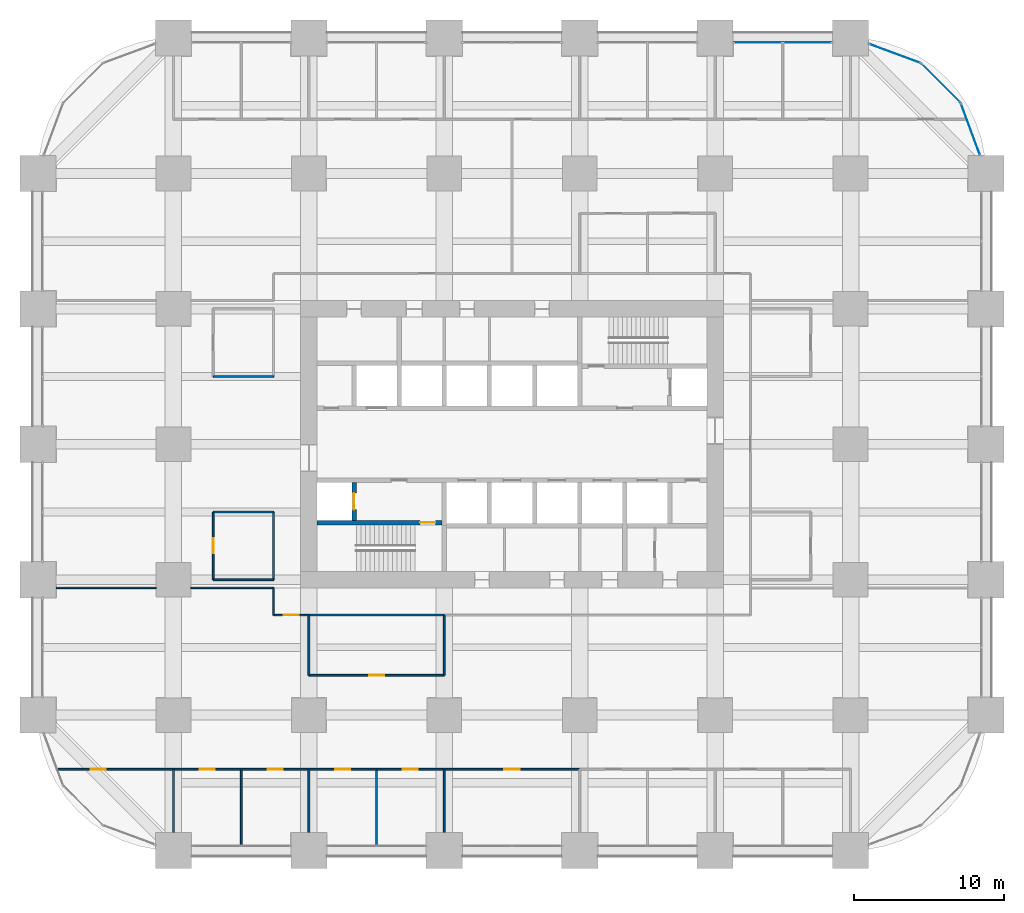
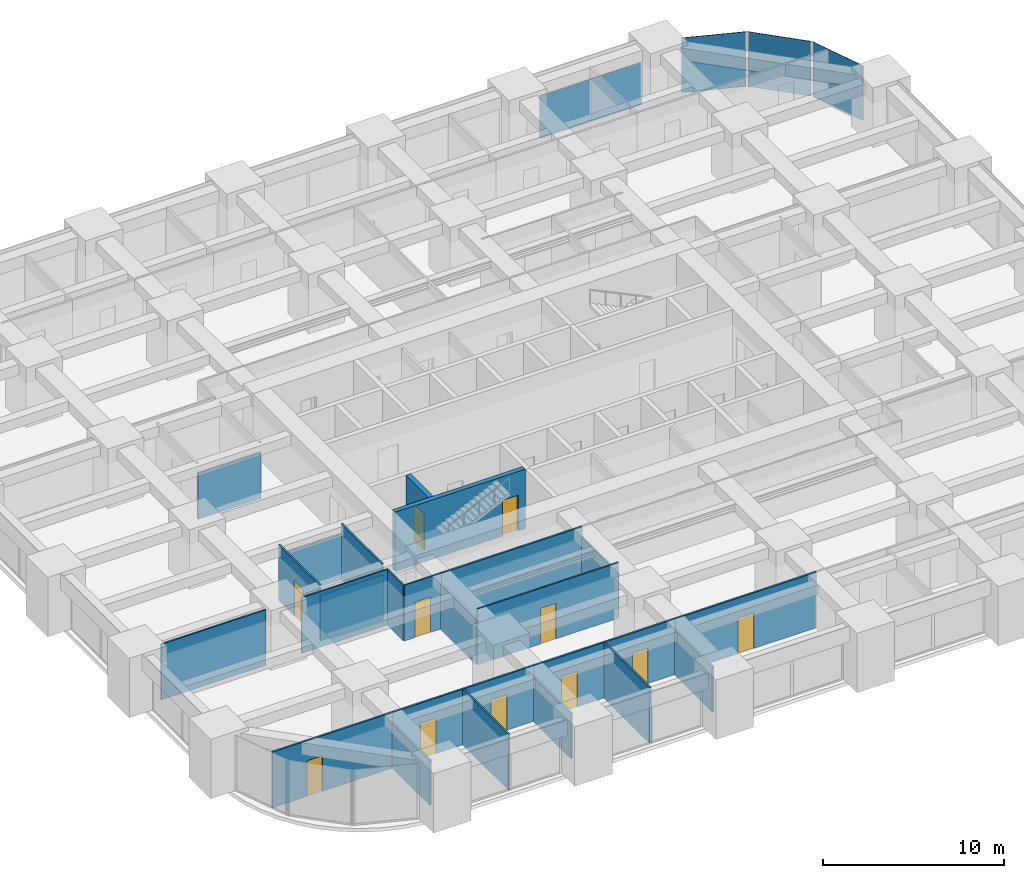
# One storey, part 39 of 45: 26 walls, 11 doors, 5 plates, 11 openings, 4 elements without a shape of their own.
"""IFC4 building model written with IfcOpenShell, lengths in metres."""

from ifc_helpers import new_model, si_unit, direction, frame, frame_2d, origin, origin_2d, place, context, subcontext, project, spatial, rectangle, extrude, material, layer, layer_set, type_object, element, fill, aggregate, save


model = new_model("IFC4")

# Units and contexts
model_context = context("Model", 3, precision=1e-05, world=origin(), true_north=direction((0.0, 1.0)))
body_context = subcontext(model_context, "Body", "Model", "MODEL_VIEW")
ifc_project = project(units=[si_unit("LENGTHUNIT", "METRE"), si_unit("AREAUNIT", "SQUARE_METRE"), si_unit("VOLUMEUNIT", "CUBIC_METRE"), si_unit("PLANEANGLEUNIT", "RADIAN"), si_unit("MASSUNIT", "GRAM", prefix="KILO")], contexts=[model_context])

# Site, building, storey
site_placement = place(None, origin())
site = spatial("IfcSite", under=ifc_project, at=site_placement, CompositionType="ELEMENT")
building_placement = place(site_placement, origin())
building = spatial("IfcBuilding", under=site, at=building_placement, Name="Zorevar Civic Tower", CompositionType="ELEMENT")
storey_placement = place(building_placement, frame((0.0, 0.0, 47.800048828125)))
storey = spatial("IfcBuildingStorey", under=building, at=storey_placement, Name="L11", CompositionType="ELEMENT", Elevation=47.800048828125)

# Curtain wall, plates
ifc_material_1 = material(Name="Dark grey solar-control glass in black aluminium frame", Category="aluminium")
curtain_wall_type = type_object("IfcCurtainWallType", Name="Curtain wall CW2 low zone", PredefinedType="NOTDEFINED", material=ifc_material_1)
curtain_wall_1_placement = place(storey_placement, origin())
curtain_wall_1 = element("IfcCurtainWall", 1, at=curtain_wall_1_placement, inside=storey, type_object=curtain_wall_type, Name="CW2 L11", PredefinedType="NOTDEFINED")
ifc_material_2 = material(Name="Dark grey solar-control glass", Category="glass")
ifc_layer_1 = layer(ifc_material_2, 0.031982421875)
ifc_layer_set_1 = layer_set([ifc_layer_1], Name="CW2 panel 32")
plate_type = type_object("IfcPlateType", Name="CW2 panel 32", PredefinedType="CURTAIN_PANEL", material=ifc_layer_set_1)
plate_1_placement = place(storey_placement, frame((47.864990234375, 53.699951171875, 0.06005859375), z_axis=(0.0, 0.0, 1.0), x_axis=(1.0, 0.0, 0.0)))
plate_1 = element("IfcPlate", 2, at=plate_1_placement, type_object=plate_type, Name="CW2 panel 1.1", PredefinedType="CURTAIN_PANEL", context=body_context, shape_type="SweptSolid", body=[
    extrude(rectangle(XDim=3.2099609375, YDim=0.031982421875, at=origin_2d()), origin(), (0.0, 0.0, 1.0), 2.889892578125),
])
plate_2_placement = place(storey_placement, frame((51.135009765625, 53.699951171875, 0.06005859375), z_axis=(0.0, 0.0, 1.0), x_axis=(1.0, 0.0, 0.0)))
plate_2 = element("IfcPlate", 3, at=plate_2_placement, type_object=plate_type, Name="CW2 panel 2.1", PredefinedType="CURTAIN_PANEL", context=body_context, shape_type="SweptSolid", body=[
    extrude(rectangle(XDim=3.2099609375, YDim=0.031982421875, at=origin_2d()), origin(), (0.0, 0.0, 1.0), 2.889892578125),
])
aggregate(curtain_wall_1, [plate_1, plate_2])

# Curtain wall, plate
curtain_wall_2_placement = place(storey_placement, origin())
curtain_wall_2 = element("IfcCurtainWall", 4, at=curtain_wall_2_placement, inside=storey, type_object=curtain_wall_type, Name="CW2 L11", PredefinedType="NOTDEFINED")
plate_3_placement = place(storey_placement, frame((61.97119140625, 47.9462890625, 0.06005859375), z_axis=(0.0, 0.0, 1.0), x_axis=(-0.346704012033, 0.937974588163, 0.0)))
plate_3 = element("IfcPlate", 5, at=plate_3_placement, type_object=plate_type, Name="CW2 panel 1.1", PredefinedType="CURTAIN_PANEL", context=body_context, shape_type="SweptSolid", body=[
    extrude(rectangle(XDim=3.603759765625, YDim=0.031982421875, at=origin_2d()), origin(), (0.0, 0.0, 1.0), 3.68994140625),
])
aggregate(curtain_wall_2, [plate_3])

curtain_wall_3_placement = place(storey_placement, origin())
curtain_wall_3 = element("IfcCurtainWall", 6, at=curtain_wall_3_placement, inside=storey, type_object=curtain_wall_type, Name="CW2 L11", PredefinedType="NOTDEFINED")
plate_4_placement = place(storey_placement, frame((60.00927734375, 51.00927734375, 0.06005859375), z_axis=(0.0, 0.0, 1.0), x_axis=(-0.707106781187, 0.707106781187, 0.0)))
plate_4 = element("IfcPlate", 7, at=plate_4_placement, type_object=plate_type, Name="CW2 panel 1.1", PredefinedType="CURTAIN_PANEL", context=body_context, shape_type="SweptSolid", body=[
    extrude(rectangle(XDim=3.603759765625, YDim=0.031982421875, at=origin_2d()), origin(), (0.0, 0.0, 1.0), 3.68994140625),
])
aggregate(curtain_wall_3, [plate_4])

curtain_wall_4_placement = place(storey_placement, origin())
curtain_wall_4 = element("IfcCurtainWall", 8, at=curtain_wall_4_placement, inside=storey, type_object=curtain_wall_type, Name="CW2 L11", PredefinedType="NOTDEFINED")
plate_5_placement = place(storey_placement, frame((56.9462890625, 52.97119140625, 0.06005859375), z_axis=(0.0, 0.0, 1.0), x_axis=(-0.937974588163, 0.346704012033, 0.0)))
plate_5 = element("IfcPlate", 9, at=plate_5_placement, type_object=plate_type, Name="CW2 panel 1.1", PredefinedType="CURTAIN_PANEL", context=body_context, shape_type="SweptSolid", body=[
    extrude(rectangle(XDim=3.603759765625, YDim=0.031982421875, at=origin_2d()), origin(), (0.0, 0.0, 1.0), 3.68994140625),
])
aggregate(curtain_wall_4, [plate_5])

# Wall, opening, door
ifc_material_3 = material(Name="Laminated glass in black aluminium frame", Category="aluminium")
ifc_layer_2 = layer(ifc_material_3, 0.10009765625)
ifc_layer_set_2 = layer_set([ifc_layer_2], Name="Glazed partition 100")
wall_type_1 = type_object("IfcWallType", Name="Glazed partition 100", PredefinedType="PARTITIONING", material=ifc_layer_set_2)
wall_1_placement = place(storey_placement, frame((18.0, 11.64990234375, 0.0), z_axis=(0.0, 0.0, 1.0), x_axis=(1.0, 0.0, 0.0)))
wall_1 = element("IfcWall", 10, at=wall_1_placement, inside=storey, type_object=wall_type_1, Name="Glazed partition 100 L11", PredefinedType="PARTITIONING", context=body_context, shape_type="SweptSolid", body=[
    extrude(rectangle(XDim=9.0, YDim=0.10009765625, at=frame_2d((4.5, 0.0))), origin(), (0.0, 0.0, 1.0), 3.75),
])
opening_1_placement = place(wall_1_placement, frame((4.0, 0.0, 0.0)))
opening_1 = element("IfcOpeningElement", 11, at=opening_1_placement, cuts=wall_1, Name="Opening L11.27", PredefinedType="OPENING", context=body_context, shape_type="SweptSolid", body=[
    extrude(rectangle(XDim=1.0, YDim=2.39990234375, at=frame_2d((0.5, 1.199951171875))), frame((0.0, 0.06005859375, 0.0), z_axis=(0.0, -1.0, 0.0), x_axis=(1.0, 0.0, 0.0)), (0.0, 0.0, 1.0), 0.1201171875),
])
ifc_material_4 = material(Name="Timber door set", Category="wood")
door_type_1 = type_object("IfcDoorType", Name="Glazed door GD1 1000x2400", OperationType="SINGLE_SWING_LEFT", PredefinedType="DOOR", material=ifc_material_4)
door_1_placement = place(opening_1_placement, origin())
door_1 = element("IfcDoor", 12, at=door_1_placement, inside=storey, type_object=door_type_1, Name="Door L11 D1", OperationType="SINGLE_SWING_LEFT", OverallHeight=2.39990234375, OverallWidth=1.0, PredefinedType="DOOR", context=body_context, shape_type="SweptSolid", body=[
    extrude(rectangle(XDim=1.0, YDim=2.39990234375, at=frame_2d((0.5, 1.199951171875))), frame((0.0, 0.02001953125, 0.0), z_axis=(0.0, -1.0, 0.0), x_axis=(1.0, 0.0, 0.0)), (0.0, 0.0, 1.0), 0.0400390625),
])
fill(opening_1, door_1)

wall_2_placement = place(storey_placement, frame((15.64990234375, 15.64990234375, 0.0), z_axis=(0.0, 0.0, 1.0), x_axis=(1.0, 0.0, 0.0)))
wall_2 = element("IfcWall", 13, at=wall_2_placement, inside=storey, type_object=wall_type_1, Name="Glazed partition 100 L11", PredefinedType="PARTITIONING", context=body_context, shape_type="SweptSolid", body=[
    extrude(rectangle(XDim=2.35009765625, YDim=0.10009765625, at=frame_2d((1.175048828125, 0.0))), origin(), (0.0, 0.0, 1.0), 3.75),
])
opening_2_placement = place(wall_2_placement, frame((0.675048828125, 0.0, 0.0)))
opening_2 = element("IfcOpeningElement", 14, at=opening_2_placement, cuts=wall_2, Name="Opening L11.28", PredefinedType="OPENING", context=body_context, shape_type="SweptSolid", body=[
    extrude(rectangle(XDim=1.0, YDim=2.39990234375, at=frame_2d((0.5, 1.199951171875))), frame((0.0, 0.06005859375, 0.0), z_axis=(0.0, -1.0, 0.0), x_axis=(1.0, 0.0, 0.0)), (0.0, 0.0, 1.0), 0.1201171875),
])
door_2_placement = place(opening_2_placement, origin())
door_2 = element("IfcDoor", 15, at=door_2_placement, inside=storey, type_object=door_type_1, Name="Door L11 D1", OperationType="SINGLE_SWING_RIGHT", OverallHeight=2.39990234375, OverallWidth=1.0, PredefinedType="DOOR", context=body_context, shape_type="SweptSolid", body=[
    extrude(rectangle(XDim=1.0, YDim=2.39990234375, at=frame_2d((0.5, 1.199951171875))), frame((0.0, 0.02001953125, 0.0), z_axis=(0.0, -1.0, 0.0), x_axis=(1.0, 0.0, 0.0)), (0.0, 0.0, 1.0), 0.0400390625),
])
fill(opening_2, door_2)

# Walls
wall_3_placement = place(storey_placement, frame((1.199951171875, 17.449951171875, 0.0), z_axis=(0.0, 0.0, 1.0), x_axis=(1.0, 0.0, 0.0)))
element("IfcWall", 16, at=wall_3_placement, inside=storey, type_object=wall_type_1, Name="Glazed partition 100 L11", PredefinedType="PARTITIONING", context=body_context, shape_type="SweptSolid", body=[
    extrude(rectangle(XDim=6.650146484375, YDim=0.10009765625, at=frame_2d((3.3251953125, 0.0))), origin(), (0.0, 0.0, 1.0), 3.75),
])
wall_4_placement = place(storey_placement, frame((10.14990234375, 17.449951171875, 0.0), z_axis=(0.0, 0.0, 1.0), x_axis=(1.0, 0.0, 0.0)))
element("IfcWall", 17, at=wall_4_placement, inside=storey, type_object=wall_type_1, Name="Glazed partition 100 L11", PredefinedType="PARTITIONING", context=body_context, shape_type="SweptSolid", body=[
    extrude(rectangle(XDim=5.5, YDim=0.10009765625, at=frame_2d((2.75, 0.0))), origin(), (0.0, 0.0, 1.0), 3.75),
])
wall_5_placement = place(storey_placement, frame((15.64990234375, 15.64990234375, 0.0), z_axis=(0.0, 0.0, 1.0), x_axis=(0.0, 1.0, 0.0)))
element("IfcWall", 18, at=wall_5_placement, inside=storey, type_object=wall_type_1, Name="Glazed partition 100 L11", PredefinedType="PARTITIONING", context=body_context, shape_type="SweptSolid", body=[
    extrude(rectangle(XDim=1.800048828125, YDim=0.10009765625, at=frame_2d((0.89990234375, 0.0))), origin(), (0.0, 0.0, 1.0), 3.75),
])

# Wall, opening, door
ifc_material_5 = material(Name="Concrete C40/50", Category="concrete")
ifc_layer_3 = layer(ifc_material_5, 0.300048828125)
ifc_layer_set_3 = layer_set([ifc_layer_3], Name="Inner core wall 300")
wall_type_2 = type_object("IfcWallType", Name="Inner core wall 300", PredefinedType="SHEAR", material=ifc_layer_set_3)
wall_6_placement = place(storey_placement, frame((18.550048828125, 21.800048828125, 0.0), z_axis=(0.0, 0.0, 1.0), x_axis=(1.0, 0.0, 0.0)))
wall_6 = element("IfcWall", 19, at=wall_6_placement, inside=storey, type_object=wall_type_2, Name="Inner core wall S00 L11", PredefinedType="SHEAR", context=body_context, shape_type="SweptSolid", body=[
    extrude(rectangle(XDim=8.300048828125, YDim=0.300048828125, at=frame_2d((4.14990234375, 0.0))), origin(), (0.0, 0.0, 1.0), 4.0),
])
opening_3_placement = place(wall_6_placement, frame((6.85009765625, 0.0, 0.0)))
opening_3 = element("IfcOpeningElement", 20, at=opening_3_placement, cuts=wall_6, Name="Opening L11.11", PredefinedType="OPENING", context=body_context, shape_type="SweptSolid", body=[
    extrude(rectangle(XDim=1.0, YDim=2.39990234375, at=frame_2d((0.5, 1.199951171875))), frame((0.0, 0.159912109375, 0.0), z_axis=(0.0, -1.0, 0.0), x_axis=(1.0, 0.0, 0.0)), (0.0, 0.0, 1.0), 0.320068359375),
])
ifc_material_6 = material(Name="Steel door set", Category="steel")
door_type_2 = type_object("IfcDoorType", Name="Fire door FD1 1000x2400", OperationType="SINGLE_SWING_LEFT", PredefinedType="DOOR", material=ifc_material_6)
door_3_placement = place(opening_3_placement, origin())
door_3 = element("IfcDoor", 21, at=door_3_placement, inside=storey, type_object=door_type_2, Name="Door L11 10", OperationType="SINGLE_SWING_RIGHT", OverallHeight=2.39990234375, OverallWidth=1.0, PredefinedType="DOOR", context=body_context, shape_type="SweptSolid", body=[
    extrude(rectangle(XDim=1.0, YDim=2.39990234375, at=frame_2d((0.5, 1.199951171875))), frame((0.0, 0.030029296875, 0.0), z_axis=(0.0, -1.0, 0.0), x_axis=(1.0, 0.0, 0.0)), (0.0, 0.0, 1.0), 0.06005859375),
])
fill(opening_3, door_3)

wall_7_placement = place(storey_placement, frame((21.0, 21.949951171875, 0.0), z_axis=(0.0, 0.0, 1.0), x_axis=(0.0, 1.0, 0.0)))
wall_7 = element("IfcWall", 22, at=wall_7_placement, inside=storey, type_object=wall_type_2, Name="Inner core wall S02 L11", PredefinedType="SHEAR", context=body_context, shape_type="SweptSolid", body=[
    extrude(rectangle(XDim=2.5, YDim=0.300048828125, at=frame_2d((1.25, 0.0))), origin(), (0.0, 0.0, 1.0), 4.0),
])
opening_4_placement = place(wall_7_placement, frame((0.699951171875, 0.0, 0.0)))
opening_4 = element("IfcOpeningElement", 23, at=opening_4_placement, cuts=wall_7, Name="Opening L11.FL1", PredefinedType="OPENING", context=body_context, shape_type="SweptSolid", body=[
    extrude(rectangle(XDim=1.10009765625, YDim=2.39990234375, at=frame_2d((0.550048828125, 1.199951171875))), frame((0.0, 0.159912109375, 0.0), z_axis=(0.0, -1.0, 0.0), x_axis=(1.0, 0.0, 0.0)), (0.0, 0.0, 1.0), 0.320068359375),
])
ifc_material_7 = material(Name="Steel door set", Category="steel")
door_type_3 = type_object("IfcDoorType", Name="Firefighting lift landing door LD3 1100x2400", OperationType="DOUBLE_DOOR_SLIDING", PredefinedType="DOOR", material=ifc_material_7)
door_4_placement = place(opening_4_placement, origin())
door_4 = element("IfcDoor", 24, at=door_4_placement, inside=storey, type_object=door_type_3, Name="Landing door FL1 L11", OperationType="DOUBLE_DOOR_SLIDING", OverallHeight=2.39990234375, OverallWidth=1.10009765625, PredefinedType="DOOR", context=body_context, shape_type="SweptSolid", body=[
    extrude(rectangle(XDim=1.10009765625, YDim=2.39990234375, at=frame_2d((0.550048828125, 1.199951171875))), frame((0.0, 0.030029296875, 0.0), z_axis=(0.0, -1.0, 0.0), x_axis=(1.0, 0.0, 0.0)), (0.0, 0.0, 1.0), 0.06005859375),
])
fill(opening_4, door_4)

ifc_material_8 = material(Name="Gypsum board on steel studs", Category="steel")
ifc_layer_4 = layer(ifc_material_8, 0.1201171875)
ifc_layer_set_4 = layer_set([ifc_layer_4], Name="Partition 120")
wall_type_3 = type_object("IfcWallType", Name="Partition 120", PredefinedType="PARTITIONING", material=ifc_layer_set_4)
wall_8_placement = place(storey_placement, frame((9.0, 5.39990234375, 0.0), z_axis=(0.0, 0.0, 1.0), x_axis=(1.0, 0.0, 0.0)))
wall_8 = element("IfcWall", 25, at=wall_8_placement, inside=storey, type_object=wall_type_3, Name="Partition 120 L11", PredefinedType="PARTITIONING", context=body_context, shape_type="SweptSolid", body=[
    extrude(rectangle(XDim=4.5, YDim=0.1201171875, at=frame_2d((2.25, 0.0))), origin(), (0.0, 0.0, 1.0), 3.75),
])
opening_5_placement = place(wall_8_placement, frame((1.75, 0.0, 0.0)))
opening_5 = element("IfcOpeningElement", 26, at=opening_5_placement, cuts=wall_8, Name="Opening L11.17", PredefinedType="OPENING", context=body_context, shape_type="SweptSolid", body=[
    extrude(rectangle(XDim=1.0, YDim=2.39990234375, at=frame_2d((0.5, 1.199951171875))), frame((0.0, 0.070068359375, 0.0), z_axis=(0.0, -1.0, 0.0), x_axis=(1.0, 0.0, 0.0)), (0.0, 0.0, 1.0), 0.14013671875),
])
ifc_material_9 = material(Name="Timber door set", Category="wood")
door_type_4 = type_object("IfcDoorType", Name="Door D1 1000x2400", OperationType="SINGLE_SWING_LEFT", PredefinedType="DOOR", material=ifc_material_9)
door_5_placement = place(opening_5_placement, origin())
door_5 = element("IfcDoor", 27, at=door_5_placement, inside=storey, type_object=door_type_4, Name="Door L11 D1", OperationType="SINGLE_SWING_RIGHT", OverallHeight=2.39990234375, OverallWidth=1.0, PredefinedType="DOOR", context=body_context, shape_type="SweptSolid", body=[
    extrude(rectangle(XDim=1.0, YDim=2.39990234375, at=frame_2d((0.5, 1.199951171875))), frame((0.0, 0.02490234375, 0.0), z_axis=(0.0, -1.0, 0.0), x_axis=(1.0, 0.0, 0.0)), (0.0, 0.0, 1.0), 0.050048828125),
])
fill(opening_5, door_5)

wall_9_placement = place(storey_placement, frame((13.5, 5.39990234375, 0.0), z_axis=(0.0, 0.0, 1.0), x_axis=(1.0, 0.0, 0.0)))
wall_9 = element("IfcWall", 28, at=wall_9_placement, inside=storey, type_object=wall_type_3, Name="Partition 120 L11", PredefinedType="PARTITIONING", context=body_context, shape_type="SweptSolid", body=[
    extrude(rectangle(XDim=4.5, YDim=0.1201171875, at=frame_2d((2.25, 0.0))), origin(), (0.0, 0.0, 1.0), 3.75),
])
opening_6_placement = place(wall_9_placement, frame((1.75, 0.0, 0.0)))
opening_6 = element("IfcOpeningElement", 29, at=opening_6_placement, cuts=wall_9, Name="Opening L11.18", PredefinedType="OPENING", context=body_context, shape_type="SweptSolid", body=[
    extrude(rectangle(XDim=1.0, YDim=2.39990234375, at=frame_2d((0.5, 1.199951171875))), frame((0.0, 0.070068359375, 0.0), z_axis=(0.0, -1.0, 0.0), x_axis=(1.0, 0.0, 0.0)), (0.0, 0.0, 1.0), 0.14013671875),
])
door_6_placement = place(opening_6_placement, origin())
door_6 = element("IfcDoor", 30, at=door_6_placement, inside=storey, type_object=door_type_4, Name="Door L11 D1", OperationType="SINGLE_SWING_RIGHT", OverallHeight=2.39990234375, OverallWidth=1.0, PredefinedType="DOOR", context=body_context, shape_type="SweptSolid", body=[
    extrude(rectangle(XDim=1.0, YDim=2.39990234375, at=frame_2d((0.5, 1.199951171875))), frame((0.0, 0.02490234375, 0.0), z_axis=(0.0, -1.0, 0.0), x_axis=(1.0, 0.0, 0.0)), (0.0, 0.0, 1.0), 0.050048828125),
])
fill(opening_6, door_6)

wall_10_placement = place(storey_placement, frame((18.0, 5.39990234375, 0.0), z_axis=(0.0, 0.0, 1.0), x_axis=(1.0, 0.0, 0.0)))
wall_10 = element("IfcWall", 31, at=wall_10_placement, inside=storey, type_object=wall_type_3, Name="Partition 120 L11", PredefinedType="PARTITIONING", context=body_context, shape_type="SweptSolid", body=[
    extrude(rectangle(XDim=4.5, YDim=0.1201171875, at=frame_2d((2.25, 0.0))), origin(), (0.0, 0.0, 1.0), 3.75),
])
opening_7_placement = place(wall_10_placement, frame((1.75, 0.0, 0.0)))
opening_7 = element("IfcOpeningElement", 32, at=opening_7_placement, cuts=wall_10, Name="Opening L11.19", PredefinedType="OPENING", context=body_context, shape_type="SweptSolid", body=[
    extrude(rectangle(XDim=1.0, YDim=2.39990234375, at=frame_2d((0.5, 1.199951171875))), frame((0.0, 0.070068359375, 0.0), z_axis=(0.0, -1.0, 0.0), x_axis=(1.0, 0.0, 0.0)), (0.0, 0.0, 1.0), 0.14013671875),
])
door_7_placement = place(opening_7_placement, origin())
door_7 = element("IfcDoor", 33, at=door_7_placement, inside=storey, type_object=door_type_4, Name="Door L11 D1", OperationType="SINGLE_SWING_RIGHT", OverallHeight=2.39990234375, OverallWidth=1.0, PredefinedType="DOOR", context=body_context, shape_type="SweptSolid", body=[
    extrude(rectangle(XDim=1.0, YDim=2.39990234375, at=frame_2d((0.5, 1.199951171875))), frame((0.0, 0.02490234375, 0.0), z_axis=(0.0, -1.0, 0.0), x_axis=(1.0, 0.0, 0.0)), (0.0, 0.0, 1.0), 0.050048828125),
])
fill(opening_7, door_7)

wall_11_placement = place(storey_placement, frame((22.5, 5.39990234375, 0.0), z_axis=(0.0, 0.0, 1.0), x_axis=(1.0, 0.0, 0.0)))
wall_11 = element("IfcWall", 34, at=wall_11_placement, inside=storey, type_object=wall_type_3, Name="Partition 120 L11", PredefinedType="PARTITIONING", context=body_context, shape_type="SweptSolid", body=[
    extrude(rectangle(XDim=4.5, YDim=0.1201171875, at=frame_2d((2.25, 0.0))), origin(), (0.0, 0.0, 1.0), 3.75),
])
opening_8_placement = place(wall_11_placement, frame((1.75, 0.0, 0.0)))
opening_8 = element("IfcOpeningElement", 35, at=opening_8_placement, cuts=wall_11, Name="Opening L11.20", PredefinedType="OPENING", context=body_context, shape_type="SweptSolid", body=[
    extrude(rectangle(XDim=1.0, YDim=2.39990234375, at=frame_2d((0.5, 1.199951171875))), frame((0.0, 0.070068359375, 0.0), z_axis=(0.0, -1.0, 0.0), x_axis=(1.0, 0.0, 0.0)), (0.0, 0.0, 1.0), 0.14013671875),
])
door_8_placement = place(opening_8_placement, origin())
door_8 = element("IfcDoor", 36, at=door_8_placement, inside=storey, type_object=door_type_4, Name="Door L11 D1", OperationType="SINGLE_SWING_RIGHT", OverallHeight=2.39990234375, OverallWidth=1.0, PredefinedType="DOOR", context=body_context, shape_type="SweptSolid", body=[
    extrude(rectangle(XDim=1.0, YDim=2.39990234375, at=frame_2d((0.5, 1.199951171875))), frame((0.0, 0.02490234375, 0.0), z_axis=(0.0, -1.0, 0.0), x_axis=(1.0, 0.0, 0.0)), (0.0, 0.0, 1.0), 0.050048828125),
])
fill(opening_8, door_8)

wall_12_placement = place(storey_placement, frame((27.0, 5.39990234375, 0.0), z_axis=(0.0, 0.0, 1.0), x_axis=(1.0, 0.0, 0.0)))
wall_12 = element("IfcWall", 37, at=wall_12_placement, inside=storey, type_object=wall_type_3, Name="Partition 120 L11", PredefinedType="PARTITIONING", context=body_context, shape_type="SweptSolid", body=[
    extrude(rectangle(XDim=9.0, YDim=0.1201171875, at=frame_2d((4.5, 0.0))), origin(), (0.0, 0.0, 1.0), 3.75),
])
opening_9_placement = place(wall_12_placement, frame((4.0, 0.0, 0.0)))
opening_9 = element("IfcOpeningElement", 38, at=opening_9_placement, cuts=wall_12, Name="Opening L11.21", PredefinedType="OPENING", context=body_context, shape_type="SweptSolid", body=[
    extrude(rectangle(XDim=1.0, YDim=2.39990234375, at=frame_2d((0.5, 1.199951171875))), frame((0.0, 0.070068359375, 0.0), z_axis=(0.0, -1.0, 0.0), x_axis=(1.0, 0.0, 0.0)), (0.0, 0.0, 1.0), 0.14013671875),
])
door_9_placement = place(opening_9_placement, origin())
door_9 = element("IfcDoor", 39, at=door_9_placement, inside=storey, type_object=door_type_4, Name="Door L11 D1", OperationType="SINGLE_SWING_LEFT", OverallHeight=2.39990234375, OverallWidth=1.0, PredefinedType="DOOR", context=body_context, shape_type="SweptSolid", body=[
    extrude(rectangle(XDim=1.0, YDim=2.39990234375, at=frame_2d((0.5, 1.199951171875))), frame((0.0, 0.02490234375, 0.0), z_axis=(0.0, -1.0, 0.0), x_axis=(1.0, 0.0, 0.0)), (0.0, 0.0, 1.0), 0.050048828125),
])
fill(opening_9, door_9)

wall_13_placement = place(storey_placement, frame((1.3095703125, 5.39990234375, 0.0), z_axis=(0.0, 0.0, 1.0), x_axis=(1.0, 0.0, 0.0)))
wall_13 = element("IfcWall", 40, at=wall_13_placement, inside=storey, type_object=wall_type_3, Name="Partition 120 L11", PredefinedType="PARTITIONING", context=body_context, shape_type="SweptSolid", body=[
    extrude(rectangle(XDim=7.6904296875, YDim=0.1201171875, at=frame_2d((3.84521484375, 0.0))), origin(), (0.0, 0.0, 1.0), 3.75),
])
opening_10_placement = place(wall_13_placement, frame((2.1904296875, 0.0, 0.0)))
opening_10 = element("IfcOpeningElement", 41, at=opening_10_placement, cuts=wall_13, Name="Opening L11.26", PredefinedType="OPENING", context=body_context, shape_type="SweptSolid", body=[
    extrude(rectangle(XDim=1.0, YDim=2.39990234375, at=frame_2d((0.5, 1.199951171875))), frame((0.0, 0.070068359375, 0.0), z_axis=(0.0, -1.0, 0.0), x_axis=(1.0, 0.0, 0.0)), (0.0, 0.0, 1.0), 0.14013671875),
])
door_10_placement = place(opening_10_placement, origin())
door_10 = element("IfcDoor", 42, at=door_10_placement, inside=storey, type_object=door_type_4, Name="Door L11 D1", OperationType="SINGLE_SWING_RIGHT", OverallHeight=2.39990234375, OverallWidth=1.0, PredefinedType="DOOR", context=body_context, shape_type="SweptSolid", body=[
    extrude(rectangle(XDim=1.0, YDim=2.39990234375, at=frame_2d((0.5, 1.199951171875))), frame((0.0, 0.02490234375, 0.0), z_axis=(0.0, -1.0, 0.0), x_axis=(1.0, 0.0, 0.0)), (0.0, 0.0, 1.0), 0.050048828125),
])
fill(opening_10, door_10)

# Walls
wall_14_placement = place(storey_placement, frame((18.0, 15.64990234375, 0.0), z_axis=(0.0, 0.0, 1.0), x_axis=(1.0, 0.0, 0.0)))
element("IfcWall", 43, at=wall_14_placement, inside=storey, type_object=wall_type_3, Name="Partition 120 L11", PredefinedType="PARTITIONING", context=body_context, shape_type="SweptSolid", body=[
    extrude(rectangle(XDim=9.0, YDim=0.1201171875, at=frame_2d((4.5, 0.0))), origin(), (0.0, 0.0, 1.0), 3.75),
])
wall_15_placement = place(storey_placement, frame((11.64990234375, 18.0, 0.0), z_axis=(0.0, 0.0, 1.0), x_axis=(1.0, 0.0, 0.0)))
element("IfcWall", 44, at=wall_15_placement, inside=storey, type_object=wall_type_3, Name="Partition 120 L11", PredefinedType="PARTITIONING", context=body_context, shape_type="SweptSolid", body=[
    extrude(rectangle(XDim=4.0, YDim=0.1201171875, at=frame_2d((2.0, 0.0))), origin(), (0.0, 0.0, 1.0), 3.050048828125),
])
for number, where, z_axis, x_axis, name in (
    (45, (11.64990234375, 22.5, 0.0), (0.0, 0.0, 1.0), (1.0, 0.0, 0.0), "Partition 120 L11"),
    (46, (11.64990234375, 31.5, 0.0), (0.0, 0.0, 1.0), (1.0, 0.0, 0.0), "Partition 120 L11"),
):
    element("IfcWall", number, at=place(storey_placement, frame(where, z_axis=z_axis, x_axis=x_axis)), inside=storey, type_object=wall_type_3, Name=name, PredefinedType="PARTITIONING", context=body_context, shape_type="SweptSolid", body=[
        extrude(rectangle(XDim=4.0, YDim=0.1201171875, at=frame_2d((2.0, 0.0))), origin(), (0.0, 0.0, 1.0), 3.099853515625),
    ])
wall_16_placement = place(storey_placement, frame((9.0, 1.199951171875, 0.0), z_axis=(0.0, 0.0, 1.0), x_axis=(0.0, 1.0, 0.0)))
element("IfcWall", 47, at=wall_16_placement, inside=storey, type_object=wall_type_3, Name="Partition 120 L11", PredefinedType="PARTITIONING", context=body_context, shape_type="SweptSolid", body=[
    extrude(rectangle(XDim=4.199951171875, YDim=0.1201171875, at=frame_2d((2.10009765625, 0.0))), origin(), (0.0, 0.0, 1.0), 3.050048828125),
])

# Wall, opening, door
wall_17_placement = place(storey_placement, frame((11.64990234375, 18.0, 0.0), z_axis=(0.0, 0.0, 1.0), x_axis=(0.0, 1.0, 0.0)))
wall_17 = element("IfcWall", 48, at=wall_17_placement, inside=storey, type_object=wall_type_3, Name="Partition 120 L11", PredefinedType="PARTITIONING", context=body_context, shape_type="SweptSolid", body=[
    extrude(rectangle(XDim=4.5, YDim=0.1201171875, at=frame_2d((2.25, 0.0))), origin(), (0.0, 0.0, 1.0), 3.75),
])
opening_11_placement = place(wall_17_placement, frame((1.75, 0.0, 0.0)))
opening_11 = element("IfcOpeningElement", 49, at=opening_11_placement, cuts=wall_17, Name="Opening L11.43", PredefinedType="OPENING", context=body_context, shape_type="SweptSolid", body=[
    extrude(rectangle(XDim=1.0, YDim=2.39990234375, at=frame_2d((0.5, 1.199951171875))), frame((0.0, 0.070068359375, 0.0), z_axis=(0.0, -1.0, 0.0), x_axis=(1.0, 0.0, 0.0)), (0.0, 0.0, 1.0), 0.14013671875),
])
door_11_placement = place(opening_11_placement, origin())
door_11 = element("IfcDoor", 50, at=door_11_placement, inside=storey, type_object=door_type_4, Name="Door L11 D1", OperationType="SINGLE_SWING_RIGHT", OverallHeight=2.39990234375, OverallWidth=1.0, PredefinedType="DOOR", context=body_context, shape_type="SweptSolid", body=[
    extrude(rectangle(XDim=1.0, YDim=2.39990234375, at=frame_2d((0.5, 1.199951171875))), frame((0.0, 0.02490234375, 0.0), z_axis=(0.0, -1.0, 0.0), x_axis=(1.0, 0.0, 0.0)), (0.0, 0.0, 1.0), 0.050048828125),
])
fill(opening_11, door_11)

# Walls
wall_18_placement = place(storey_placement, frame((13.5, 0.31005859375, 0.0), z_axis=(0.0, 0.0, 1.0), x_axis=(0.0, 1.0, 0.0)))
element("IfcWall", 51, at=wall_18_placement, inside=storey, type_object=wall_type_3, Name="Partition 120 L11", PredefinedType="PARTITIONING", context=body_context, shape_type="SweptSolid", body=[
    extrude(rectangle(XDim=5.08984375, YDim=0.1201171875, at=frame_2d((2.544921875, 0.0))), origin(), (0.0, 0.0, 1.0), 3.75),
])
wall_19_placement = place(storey_placement, frame((15.64990234375, 18.0, 0.0), z_axis=(0.0, 0.0, 1.0), x_axis=(0.0, 1.0, 0.0)))
element("IfcWall", 52, at=wall_19_placement, inside=storey, type_object=wall_type_3, Name="Partition 120 L11", PredefinedType="PARTITIONING", context=body_context, shape_type="SweptSolid", body=[
    extrude(rectangle(XDim=4.5, YDim=0.1201171875, at=frame_2d((2.25, 0.0))), origin(), (0.0, 0.0, 1.0), 3.75),
])
wall_20_placement = place(storey_placement, frame((18.0, 1.199951171875, 0.0), z_axis=(0.0, 0.0, 1.0), x_axis=(0.0, 1.0, 0.0)))
element("IfcWall", 53, at=wall_20_placement, inside=storey, type_object=wall_type_3, Name="Partition 120 L11", PredefinedType="PARTITIONING", context=body_context, shape_type="SweptSolid", body=[
    extrude(rectangle(XDim=4.199951171875, YDim=0.1201171875, at=frame_2d((2.10009765625, 0.0))), origin(), (0.0, 0.0, 1.0), 3.050048828125),
])
wall_21_placement = place(storey_placement, frame((18.0, 11.64990234375, 0.0), z_axis=(0.0, 0.0, 1.0), x_axis=(0.0, 1.0, 0.0)))
element("IfcWall", 54, at=wall_21_placement, inside=storey, type_object=wall_type_3, Name="Partition 120 L11", PredefinedType="PARTITIONING", context=body_context, shape_type="SweptSolid", body=[
    extrude(rectangle(XDim=4.0, YDim=0.1201171875, at=frame_2d((2.0, 0.0))), origin(), (0.0, 0.0, 1.0), 3.050048828125),
])
wall_22_placement = place(storey_placement, frame((22.5, 0.31005859375, 0.0), z_axis=(0.0, 0.0, 1.0), x_axis=(0.0, 1.0, 0.0)))
element("IfcWall", 55, at=wall_22_placement, inside=storey, type_object=wall_type_3, Name="Partition 120 L11", PredefinedType="PARTITIONING", context=body_context, shape_type="SweptSolid", body=[
    extrude(rectangle(XDim=5.08984375, YDim=0.1201171875, at=frame_2d((2.544921875, 0.0))), origin(), (0.0, 0.0, 1.0), 3.75),
])
wall_23_placement = place(storey_placement, frame((27.0, 1.199951171875, 0.0), z_axis=(0.0, 0.0, 1.0), x_axis=(0.0, 1.0, 0.0)))
element("IfcWall", 56, at=wall_23_placement, inside=storey, type_object=wall_type_3, Name="Partition 120 L11", PredefinedType="PARTITIONING", context=body_context, shape_type="SweptSolid", body=[
    extrude(rectangle(XDim=4.199951171875, YDim=0.1201171875, at=frame_2d((2.10009765625, 0.0))), origin(), (0.0, 0.0, 1.0), 3.050048828125),
])
wall_24_placement = place(storey_placement, frame((27.0, 11.64990234375, 0.0), z_axis=(0.0, 0.0, 1.0), x_axis=(0.0, 1.0, 0.0)))
element("IfcWall", 57, at=wall_24_placement, inside=storey, type_object=wall_type_3, Name="Partition 120 L11", PredefinedType="PARTITIONING", context=body_context, shape_type="SweptSolid", body=[
    extrude(rectangle(XDim=4.0, YDim=0.1201171875, at=frame_2d((2.0, 0.0))), origin(), (0.0, 0.0, 1.0), 3.050048828125),
])

save(model, "model.ifc")
